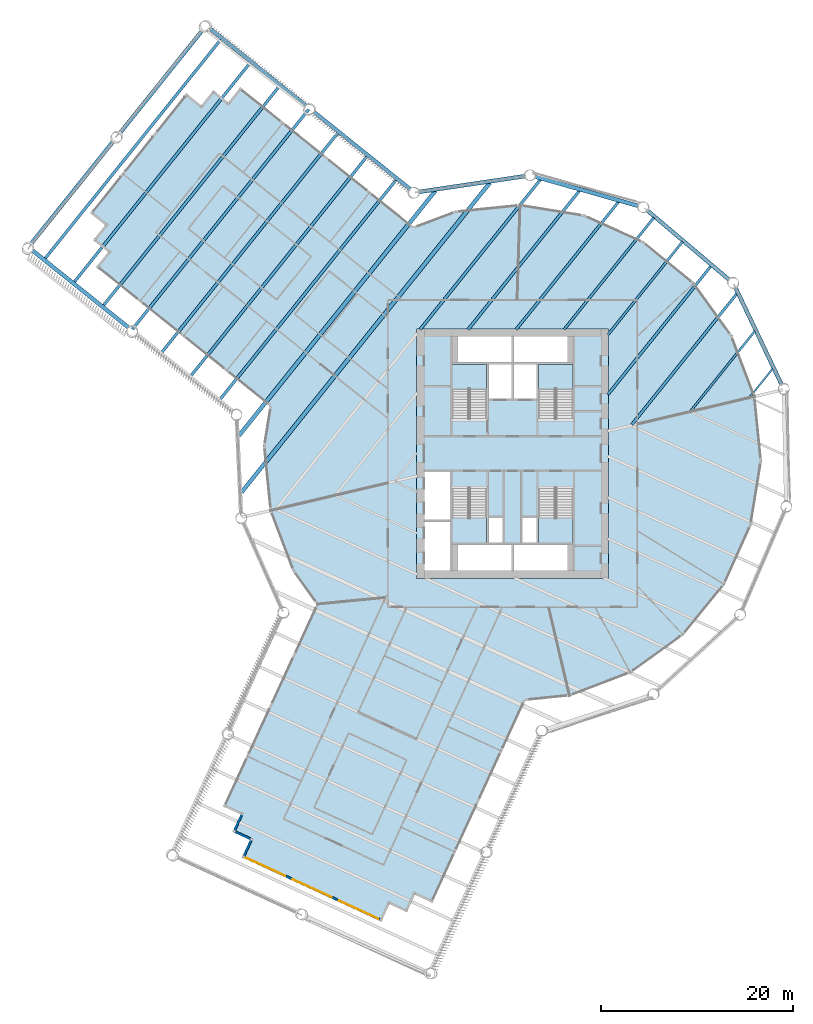
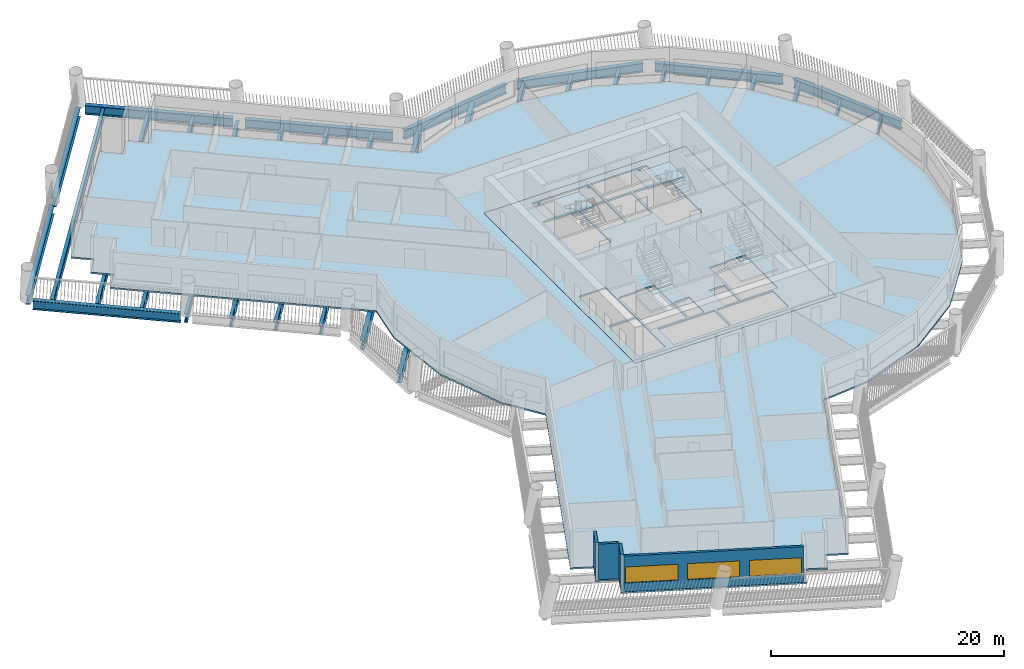
# One storey, part 2 of 16: 27 beams, 6 slabs, 4 walls, 3 windows, 3 openings, 4 elements without a shape of their own.
"""IFC4 building model written with IfcOpenShell, lengths in metres."""

from ifc_helpers import new_model, si_unit, direction, frame, frame_2d, origin, origin_2d, place, context, subcontext, project, spatial, polyline, rectangle, i_section, outline, extrude, material, layer, layer_set, material_profile, profile_set, type_object, element, fill, aggregate, save


model = new_model("IFC4")

# Units and contexts
model_context = context("Model", 3, precision=1e-05, world=origin(), true_north=direction((0.0, 1.0)))
body_context = subcontext(model_context, "Body", "Model", "MODEL_VIEW")
ifc_project = project(units=[si_unit("LENGTHUNIT", "METRE"), si_unit("AREAUNIT", "SQUARE_METRE"), si_unit("VOLUMEUNIT", "CUBIC_METRE"), si_unit("PLANEANGLEUNIT", "RADIAN"), si_unit("MASSUNIT", "GRAM", prefix="KILO")], contexts=[model_context])

# Site, building, storey
site_placement = place(None, origin())
site = spatial("IfcSite", under=ifc_project, at=site_placement, CompositionType="ELEMENT")
building_placement = place(site_placement, origin())
building = spatial("IfcBuilding", under=site, at=building_placement, Name="Tarsis Ring Headquarters", CompositionType="ELEMENT")
storey_placement = place(building_placement, frame((0.0, 0.0, 112.300048828125)))
storey = spatial("IfcBuildingStorey", under=building, at=storey_placement, Name="L25", CompositionType="ELEMENT", Elevation=112.300048828125)

# Beams
ifc_material_1 = material(Name="Structural steel S355", Category="steel")
ifc_material_profile_1 = material_profile(ifc_material_1, i_section(OverallWidth=0.177734375, OverallDepth=0.406494140625, WebThickness=0.0078125, FlangeThickness=0.0126953125, at=origin_2d()), Name="W16x40")
ifc_profile_set_1 = profile_set([ifc_material_profile_1], Name="Structural steel S355")
beam_type_1 = type_object("IfcBeamType", Name="FB Floor beam W16x40", PredefinedType="JOIST", material=ifc_profile_set_1)
beam_1_placement = place(storey_placement, frame((27.099365234375, 8.8486328125, -0.36328125), z_axis=(-0.625760768222, -0.780015038928, 0.0), x_axis=(0.780015038928, -0.625760768222, 0.0)))
element("IfcBeam", 1, at=beam_1_placement, inside=storey, type_object=beam_type_1, Name="Floor beam FB1", PredefinedType="JOIST", context=body_context, shape_type="SweptSolid", body=[
    extrude(i_section(OverallWidth=0.177734375, OverallDepth=0.406494140625, WebThickness=0.0078125, FlangeThickness=0.0126953125, at=origin_2d()), origin(), (0.0, 0.0, 1.0), 3.741455078125),
])
ifc_material_profile_2 = material_profile(ifc_material_1, i_section(OverallWidth=0.228271484375, OverallDepth=0.607177734375, WebThickness=0.01123046875, FlangeThickness=0.017333984375, at=origin_2d()), Name="W24x76")
ifc_profile_set_2 = profile_set([ifc_material_profile_2], Name="Structural steel S355")
beam_type_2 = type_object("IfcBeamType", Name="FB Floor beam W24x76", PredefinedType="JOIST", material=ifc_profile_set_2)
beam_2_placement = place(storey_placement, frame((25.23876953125, 12.76171875, -0.463623046875), z_axis=(-0.625782091329, -0.779997932158, 0.0), x_axis=(0.779997932158, -0.625782091329, 0.0)))
element("IfcBeam", 2, at=beam_2_placement, inside=storey, type_object=beam_type_2, Name="Floor beam FB4", PredefinedType="JOIST", context=body_context, shape_type="SweptSolid", body=[
    extrude(i_section(OverallWidth=0.228271484375, OverallDepth=0.607177734375, WebThickness=0.01123046875, FlangeThickness=0.017333984375, at=origin_2d()), origin(), (0.0, 0.0, 1.0), 10.62109375),
])
ifc_material_profile_3 = material_profile(ifc_material_1, i_section(OverallWidth=0.2529296875, OverallDepth=0.67822265625, WebThickness=0.01171875, FlangeThickness=0.016357421875, at=origin_2d()), Name="W27x84")
ifc_profile_set_3 = profile_set([ifc_material_profile_3], Name="Structural steel S355")
beam_type_3 = type_object("IfcBeamType", Name="FB Floor beam W27x84", PredefinedType="JOIST", material=ifc_profile_set_3)
beam_3_placement = place(storey_placement, frame((17.705322265625, 22.068359375, -0.499267578125), z_axis=(-0.625780987223, -0.779998817968, 0.0), x_axis=(0.779998817968, -0.625780987223, 0.0)))
element("IfcBeam", 3, at=beam_3_placement, inside=storey, type_object=beam_type_3, Name="Floor beam FB5", PredefinedType="JOIST", context=body_context, shape_type="SweptSolid", body=[
    extrude(i_section(OverallWidth=0.2529296875, OverallDepth=0.67822265625, WebThickness=0.01171875, FlangeThickness=0.016357421875, at=origin_2d()), origin(), (0.0, 0.0, 1.0), 12.4130859375),
])
ifc_material_profile_4 = material_profile(ifc_material_1, i_section(OverallWidth=0.2666015625, OverallDepth=0.7568359375, WebThickness=0.013916015625, FlangeThickness=0.019287109375, at=origin_2d()), Name="W30x108")
ifc_profile_set_4 = profile_set([ifc_material_profile_4], Name="Structural steel S355")
beam_type_4 = type_object("IfcBeamType", Name="FB Floor beam W30x108", PredefinedType="JOIST", material=ifc_profile_set_4)
beam_4_placement = place(storey_placement, frame((14.726806640625, 24.587890625, -0.53857421875), z_axis=(-0.625795269895, -0.779987358985, 0.0), x_axis=(0.779987358985, -0.625795269895, 0.0)))
element("IfcBeam", 4, at=beam_4_placement, inside=storey, type_object=beam_type_4, Name="Floor beam FB6", PredefinedType="JOIST", context=body_context, shape_type="SweptSolid", body=[
    extrude(i_section(OverallWidth=0.2666015625, OverallDepth=0.7568359375, WebThickness=0.013916015625, FlangeThickness=0.019287109375, at=origin_2d()), origin(), (0.0, 0.0, 1.0), 14.956298828125),
])
ifc_material_profile_5 = material_profile(ifc_material_1, i_section(OverallWidth=0.2919921875, OverallDepth=0.835693359375, WebThickness=0.013916015625, FlangeThickness=0.018798828125, at=origin_2d()), Name="W33x118")
ifc_profile_set_5 = profile_set([ifc_material_profile_5], Name="Structural steel S355")
beam_type_5 = type_object("IfcBeamType", Name="FB Floor beam W33x118", PredefinedType="JOIST", material=ifc_profile_set_5)
beam_5_placement = place(storey_placement, frame((23.378173828125, 16.6748046875, -0.577880859375), z_axis=(-0.625779840758, -0.779999737757, 0.0), x_axis=(0.779999737757, -0.625779840758, 0.0)))
element("IfcBeam", 5, at=beam_5_placement, inside=storey, type_object=beam_type_5, Name="Floor beam FB7", PredefinedType="JOIST", context=body_context, shape_type="SweptSolid", body=[
    extrude(i_section(OverallWidth=0.2919921875, OverallDepth=0.835693359375, WebThickness=0.013916015625, FlangeThickness=0.018798828125, at=origin_2d()), origin(), (0.0, 0.0, 1.0), 17.500732421875),
])
beam_6_placement = place(storey_placement, frame((20.68408203125, 19.548828125, -0.577880859375), z_axis=(-0.625786688088, -0.779994244217, 0.0), x_axis=(0.779994244217, -0.625786688088, 0.0)))
element("IfcBeam", 6, at=beam_6_placement, inside=storey, type_object=beam_type_5, Name="Floor beam FB7", PredefinedType="JOIST", context=body_context, shape_type="SweptSolid", body=[
    extrude(i_section(OverallWidth=0.2919921875, OverallDepth=0.835693359375, WebThickness=0.013916015625, FlangeThickness=0.018798828125, at=origin_2d()), origin(), (0.0, 0.0, 1.0), 17.1728515625),
])
beam_7_placement = place(storey_placement, frame((11.060791015625, 26.250732421875, -0.577880859375), z_axis=(-0.625790359336, -0.779991298774, 0.0), x_axis=(0.779991298774, -0.625790359336, 0.0)))
element("IfcBeam", 7, at=beam_7_placement, inside=storey, type_object=beam_type_5, Name="Floor beam FB7", PredefinedType="JOIST", context=body_context, shape_type="SweptSolid", body=[
    extrude(i_section(OverallWidth=0.2919921875, OverallDepth=0.835693359375, WebThickness=0.013916015625, FlangeThickness=0.018798828125, at=origin_2d()), origin(), (0.0, 0.0, 1.0), 17.088134765625),
])
ifc_material_profile_6 = material_profile(ifc_material_1, i_section(OverallWidth=0.3046875, OverallDepth=0.904296875, WebThickness=0.01513671875, FlangeThickness=0.02001953125, at=origin_2d()), Name="W36x135")
ifc_profile_set_6 = profile_set([ifc_material_profile_6], Name="Structural steel S355")
beam_type_6 = type_object("IfcBeamType", Name="FB Floor beam W36x135", PredefinedType="JOIST", material=ifc_profile_set_6)
beam_8_placement = place(storey_placement, frame((6.989990234375, 27.408935546875, -0.612060546875), z_axis=(-0.625789307576, -0.779992142604, 0.0), x_axis=(0.779992142604, -0.625789307576, 0.0)))
element("IfcBeam", 8, at=beam_8_placement, inside=storey, type_object=beam_type_6, Name="Floor beam FB8", PredefinedType="JOIST", context=body_context, shape_type="SweptSolid", body=[
    extrude(i_section(OverallWidth=0.3046875, OverallDepth=0.904296875, WebThickness=0.01513671875, FlangeThickness=0.02001953125, at=origin_2d()), origin(), (0.0, 0.0, 1.0), 18.572998046875),
])
beam_9_placement = place(storey_placement, frame((2.91943359375, 28.5673828125, -0.612060546875), z_axis=(-0.625789875515, -0.779991686945, 0.0), x_axis=(0.779991686945, -0.625789875515, 0.0)))
element("IfcBeam", 9, at=beam_9_placement, inside=storey, type_object=beam_type_6, Name="Floor beam FB8", PredefinedType="JOIST", context=body_context, shape_type="SweptSolid", body=[
    extrude(i_section(OverallWidth=0.3046875, OverallDepth=0.904296875, WebThickness=0.01513671875, FlangeThickness=0.02001953125, at=origin_2d()), origin(), (0.0, 0.0, 1.0), 20.058349609375),
])
ifc_material_profile_7 = material_profile(ifc_material_1, i_section(OverallWidth=0.309814453125, OverallDepth=0.949951171875, WebThickness=0.0244140625, FlangeThickness=0.0439453125, at=origin_2d()), Name="W36x256")
ifc_profile_set_7 = profile_set([ifc_material_profile_7], Name="Structural steel S355")
beam_type_7 = type_object("IfcBeamType", Name="FB Floor beam W36x256", PredefinedType="JOIST", material=ifc_profile_set_7)
beam_10_placement = place(storey_placement, frame((-12.102294921875, 28.54052734375, -0.635009765625), z_axis=(-0.625786003258, -0.779994793654, 0.0), x_axis=(0.779994793654, -0.625786003258, 0.0)))
element("IfcBeam", 10, at=beam_10_placement, inside=storey, type_object=beam_type_7, Name="Floor beam FB11", PredefinedType="JOIST", context=body_context, shape_type="SweptSolid", body=[
    extrude(i_section(OverallWidth=0.309814453125, OverallDepth=0.949951171875, WebThickness=0.0244140625, FlangeThickness=0.0439453125, at=origin_2d()), origin(), (0.0, 0.0, 1.0), 29.3759765625),
])
beam_11_placement = place(storey_placement, frame((-15.144287109375, 30.98095703125, -0.635009765625), z_axis=(-0.625790059909, -0.779991539005, 0.0), x_axis=(0.779991539005, -0.625790059909, 0.0)))
element("IfcBeam", 11, at=beam_11_placement, inside=storey, type_object=beam_type_7, Name="Floor beam FB11", PredefinedType="JOIST", context=body_context, shape_type="SweptSolid", body=[
    extrude(i_section(OverallWidth=0.309814453125, OverallDepth=0.949951171875, WebThickness=0.0244140625, FlangeThickness=0.0439453125, at=origin_2d()), origin(), (0.0, 0.0, 1.0), 29.375732421875),
])
beam_12_placement = place(storey_placement, frame((-18.186279296875, 33.421630859375, -0.635009765625), z_axis=(-0.625786003258, -0.779994793654, 0.0), x_axis=(0.779994793654, -0.625786003258, 0.0)))
element("IfcBeam", 12, at=beam_12_placement, inside=storey, type_object=beam_type_7, Name="Floor beam FB11", PredefinedType="JOIST", context=body_context, shape_type="SweptSolid", body=[
    extrude(i_section(OverallWidth=0.309814453125, OverallDepth=0.949951171875, WebThickness=0.0244140625, FlangeThickness=0.0439453125, at=origin_2d()), origin(), (0.0, 0.0, 1.0), 29.3759765625),
])
for number, where, z_axis, x_axis, name in (
    (13, (-21.228271484375, 35.862060546875, -0.635009765625), (-0.625790059909, -0.779991539005, 0.0), (0.779991539005, -0.625790059909, 0.0), "Floor beam FB11"),
    (14, (-24.270263671875, 38.302734375, -0.635009765625), (-0.625790059909, -0.779991539005, 0.0), (0.779991539005, -0.625790059909, 0.0), "Floor beam FB11"),
):
    element("IfcBeam", number, at=place(storey_placement, frame(where, z_axis=z_axis, x_axis=x_axis)), inside=storey, type_object=beam_type_7, Name=name, PredefinedType="JOIST", context=body_context, shape_type="SweptSolid", body=[
        extrude(i_section(OverallWidth=0.309814453125, OverallDepth=0.949951171875, WebThickness=0.0244140625, FlangeThickness=0.0439453125, at=origin_2d()), origin(), (0.0, 0.0, 1.0), 29.375732421875),
    ])
beam_13_placement = place(storey_placement, frame((-27.312255859375, 40.743408203125, -0.635009765625), z_axis=(-0.625786003258, -0.779994793654, 0.0), x_axis=(0.779994793654, -0.625786003258, 0.0)))
element("IfcBeam", 15, at=beam_13_placement, inside=storey, type_object=beam_type_7, Name="Floor beam FB11", PredefinedType="JOIST", context=body_context, shape_type="SweptSolid", body=[
    extrude(i_section(OverallWidth=0.309814453125, OverallDepth=0.949951171875, WebThickness=0.0244140625, FlangeThickness=0.0439453125, at=origin_2d()), origin(), (0.0, 0.0, 1.0), 29.3759765625),
])
beam_14_placement = place(storey_placement, frame((-30.354248046875, 43.183837890625, -0.635009765625), z_axis=(-0.625790059909, -0.779991539005, 0.0), x_axis=(0.779991539005, -0.625790059909, 0.0)))
element("IfcBeam", 16, at=beam_14_placement, inside=storey, type_object=beam_type_7, Name="Floor beam FB11", PredefinedType="JOIST", context=body_context, shape_type="SweptSolid", body=[
    extrude(i_section(OverallWidth=0.309814453125, OverallDepth=0.949951171875, WebThickness=0.0244140625, FlangeThickness=0.0439453125, at=origin_2d()), origin(), (0.0, 0.0, 1.0), 29.375732421875),
])
ifc_material_profile_8 = material_profile(ifc_material_1, i_section(OverallWidth=0.42431640625, OverallDepth=0.947509765625, WebThickness=0.02392578125, FlangeThickness=0.042724609375, at=origin_2d()), Name="W36x302")
ifc_profile_set_8 = profile_set([ifc_material_profile_8], Name="Structural steel S355")
beam_type_8 = type_object("IfcBeamType", Name="FB Floor beam W36x302", PredefinedType="JOIST", material=ifc_profile_set_8)
beam_15_placement = place(storey_placement, frame((-2.367431640625, 28.2099609375, -0.6337890625), z_axis=(-0.625786642196, -0.779994281036, 0.0), x_axis=(0.779994281036, -0.625786642196, 0.0)))
element("IfcBeam", 17, at=beam_15_placement, inside=storey, type_object=beam_type_8, Name="Floor beam FB12", PredefinedType="JOIST", context=body_context, shape_type="SweptSolid", body=[
    extrude(i_section(OverallWidth=0.42431640625, OverallDepth=0.947509765625, WebThickness=0.02392578125, FlangeThickness=0.042724609375, at=origin_2d()), origin(), (0.0, 0.0, 1.0), 41.35302734375),
])
beam_16_placement = place(storey_placement, frame((-8.044677734375, 27.36572265625, -0.6337890625), z_axis=(-0.625788689992, -0.779992638092, 0.0), x_axis=(0.779992638092, -0.625788689992, 0.0)))
element("IfcBeam", 18, at=beam_16_placement, inside=storey, type_object=beam_type_8, Name="Floor beam FB12", PredefinedType="JOIST", context=body_context, shape_type="SweptSolid", body=[
    extrude(i_section(OverallWidth=0.42431640625, OverallDepth=0.947509765625, WebThickness=0.02392578125, FlangeThickness=0.042724609375, at=origin_2d()), origin(), (0.0, 0.0, 1.0), 32.704833984375),
])
beam_type_9 = type_object("IfcBeamType", Name="XG Ring girder W36x302", PredefinedType="BEAM", material=ifc_profile_set_8)
for number, where, z_axis, x_axis, name in (
    (19, (28.04833984375, 7.1376953125, -0.4736328125), (-0.429439252424, 0.903095747126, 0.0), (-0.903095747126, -0.429439252424, 0.0), "Ring girder XG1"),
    (20, (22.612548828125, 18.064453125, -0.4736328125), (-0.763502058558, 0.645805393735, 0.0), (-0.645805393735, -0.763502058558, 0.0), "Ring girder XG1"),
):
    element("IfcBeam", number, at=place(storey_placement, frame(where, z_axis=z_axis, x_axis=x_axis)), inside=storey, type_object=beam_type_9, Name=name, PredefinedType="BEAM", context=body_context, shape_type="SweptSolid", body=[
        extrude(i_section(OverallWidth=0.42431640625, OverallDepth=0.947509765625, WebThickness=0.02392578125, FlangeThickness=0.042724609375, at=origin_2d()), origin(), (0.0, 0.0, 1.0), 11.197265625),
    ])
beam_17_placement = place(storey_placement, frame((13.15625, 25.779052734375, -0.4736328125), z_axis=(-0.961813854742, 0.27370441872, 0.0), x_axis=(-0.27370441872, -0.961813854742, 0.0)))
element("IfcBeam", 21, at=beam_17_placement, inside=storey, type_object=beam_type_9, Name="Ring girder XG1", PredefinedType="BEAM", context=body_context, shape_type="SweptSolid", body=[
    extrude(i_section(OverallWidth=0.42431640625, OverallDepth=0.947509765625, WebThickness=0.02392578125, FlangeThickness=0.042724609375, at=origin_2d()), origin(), (0.0, 0.0, 1.0), 11.197021484375),
])
beam_18_placement = place(storey_placement, frame((1.36083984375, 28.91015625, -0.4736328125), z_axis=(-0.989123476076, -0.147087555816, 0.0), x_axis=(0.147087555816, -0.989123476076, 0.0)))
element("IfcBeam", 22, at=beam_18_placement, inside=storey, type_object=beam_type_9, Name="Ring girder XG1", PredefinedType="BEAM", context=body_context, shape_type="SweptSolid", body=[
    extrude(i_section(OverallWidth=0.42431640625, OverallDepth=0.947509765625, WebThickness=0.02392578125, FlangeThickness=0.042724609375, at=origin_2d()), origin(), (0.0, 0.0, 1.0), 11.197265625),
])
for number, where, z_axis, x_axis, name in (
    (23, (-10.644775390625, 27.514892578125, -0.4736328125), (-0.779995050948, 0.62578568256, 0.0), (-0.62578568256, -0.779995050948, 0.0), "Ring girder XG1"),
    (24, (-21.488525390625, 36.214599609375, -0.4736328125), (-0.779995050948, 0.62578568256, 0.0), (-0.62578568256, -0.779995050948, 0.0), "Ring girder XG1"),
):
    element("IfcBeam", number, at=place(storey_placement, frame(where, z_axis=z_axis, x_axis=x_axis)), inside=storey, type_object=beam_type_9, Name=name, PredefinedType="BEAM", context=body_context, shape_type="SweptSolid", body=[
        extrude(i_section(OverallWidth=0.42431640625, OverallDepth=0.947509765625, WebThickness=0.02392578125, FlangeThickness=0.042724609375, at=origin_2d()), origin(), (0.0, 0.0, 1.0), 12.8505859375),
    ])
beam_19_placement = place(storey_placement, frame((-32.2509765625, 44.17529296875, -0.4736328125), z_axis=(-0.62579669767, -0.779986213458, 0.0), x_axis=(0.779986213458, -0.62579669767, 0.0)))
element("IfcBeam", 25, at=beam_19_placement, inside=storey, type_object=beam_type_9, Name="Ring girder XG1", PredefinedType="BEAM", context=body_context, shape_type="SweptSolid", body=[
    extrude(i_section(OverallWidth=0.42431640625, OverallDepth=0.947509765625, WebThickness=0.02392578125, FlangeThickness=0.042724609375, at=origin_2d()), origin(), (0.0, 0.0, 1.0), 13.74853515625),
])
beam_20_placement = place(storey_placement, frame((-41.5126953125, 32.63134765625, -0.4736328125), z_axis=(-0.625785894129, -0.779994881207, 0.0), x_axis=(0.779994881207, -0.625785894129, 0.0)))
element("IfcBeam", 26, at=beam_20_placement, inside=storey, type_object=beam_type_9, Name="Ring girder XG1", PredefinedType="BEAM", context=body_context, shape_type="SweptSolid", body=[
    extrude(i_section(OverallWidth=0.42431640625, OverallDepth=0.947509765625, WebThickness=0.02392578125, FlangeThickness=0.042724609375, at=origin_2d()), origin(), (0.0, 0.0, 1.0), 13.748291015625),
])
beam_21_placement = place(storey_placement, frame((-50.03515625, 21.168701171875, -0.4736328125), z_axis=(0.779995050948, -0.62578568256, 0.0), x_axis=(0.62578568256, 0.779995050948, 0.0)))
element("IfcBeam", 27, at=beam_21_placement, inside=storey, type_object=beam_type_9, Name="Ring girder XG1", PredefinedType="BEAM", context=body_context, shape_type="SweptSolid", body=[
    extrude(i_section(OverallWidth=0.42431640625, OverallDepth=0.947509765625, WebThickness=0.02392578125, FlangeThickness=0.042724609375, at=origin_2d()), origin(), (0.0, 0.0, 1.0), 12.8505859375),
])

# Slab
ifc_material_2 = material(Name="Concrete C40/50", Category="concrete")
ifc_layer_1 = layer(ifc_material_2, 0.159912109375)
ifc_layer_set_1 = layer_set([ifc_layer_1], Name="Core floor slab 160 C40/50")
slab_type_1 = type_object("IfcSlabType", Name="Core floor slab 160 C40/50", PredefinedType="FLOOR", material=ifc_layer_set_1)
slab_1_placement = place(storey_placement, frame((0.0, 0.0, -0.16015625)))
element("IfcSlab", 28, at=slab_1_placement, inside=storey, type_object=slab_type_1, Name="L25 core floor slab", PredefinedType="FLOOR", context=body_context, shape_type="SweptSolid", body=[
    extrude(outline(polyline([(-10.0, -13.0), (10.0, -13.0), (10.0, 13.0), (-10.0, 13.0), (-10.0, -13.0)]), holes=[polyline([(-2.5, 5.699951171875), (-0.10009765625, 5.699951171875), (-0.10009765625, 9.300048828125), (-2.5, 9.300048828125), (-2.5, 5.699951171875)]), polyline([(0.10009765625, 5.699951171875), (2.5, 5.699951171875), (2.5, 9.300048828125), (0.10009765625, 9.300048828125), (0.10009765625, 5.699951171875)]), polyline([(-9.199951171875, -12.199951171875), (-6.5, -12.199951171875), (-6.5, -7.10009765625), (-9.199951171875, -7.10009765625), (-9.199951171875, -12.199951171875)]), polyline([(-9.199951171875, -6.89990234375), (-6.5, -6.89990234375), (-6.5, -1.89990234375), (-9.199951171875, -1.89990234375), (-9.199951171875, -6.89990234375)]), polyline([(-5.699951171875, 9.5), (-0.10009765625, 9.5), (-0.10009765625, 12.199951171875), (-5.699951171875, 12.199951171875), (-5.699951171875, 9.5)]), polyline([(0.10009765625, 9.5), (5.699951171875, 9.5), (5.699951171875, 12.199951171875), (0.10009765625, 12.199951171875), (0.10009765625, 9.5)]), polyline([(-5.699951171875, -12.199951171875), (-0.10009765625, -12.199951171875), (-0.10009765625, -9.5), (-5.699951171875, -9.5), (-5.699951171875, -12.199951171875)]), polyline([(0.10009765625, -12.199951171875), (5.699951171875, -12.199951171875), (5.699951171875, -9.5), (0.10009765625, -9.5), (0.10009765625, -12.199951171875)]), polyline([(-2.5, -9.300048828125), (-1.0, -9.300048828125), (-1.0, -6.699951171875), (-2.5, -6.699951171875), (-2.5, -9.300048828125)]), polyline([(1.0, -9.300048828125), (2.5, -9.300048828125), (2.5, -6.699951171875), (1.0, -6.699951171875), (1.0, -9.300048828125)]), polyline([(-2.699951171875, 3.760009765625), (-2.699951171875, 9.300048828125), (-6.300048828125, 9.300048828125), (-6.300048828125, 3.659912109375), (-4.4599609375, 3.659912109375), (-4.4599609375, 3.760009765625), (-2.699951171875, 3.760009765625)]), polyline([(6.300048828125, 3.760009765625), (6.300048828125, 9.300048828125), (2.699951171875, 9.300048828125), (2.699951171875, 3.659912109375), (4.5400390625, 3.659912109375), (4.5400390625, 3.760009765625), (6.300048828125, 3.760009765625)]), polyline([(-6.300048828125, -3.760009765625), (-6.300048828125, -9.300048828125), (-2.699951171875, -9.300048828125), (-2.699951171875, -3.659912109375), (-4.5400390625, -3.659912109375), (-4.5400390625, -3.760009765625), (-6.300048828125, -3.760009765625)]), polyline([(2.699951171875, -3.760009765625), (2.699951171875, -9.300048828125), (6.300048828125, -9.300048828125), (6.300048828125, -3.659912109375), (4.4599609375, -3.659912109375), (4.4599609375, -3.760009765625), (2.699951171875, -3.760009765625)])]), origin(), (0.0, 0.0, 1.0), 0.16015625),
])

# Stair, slab
ifc_material_3 = material(Name="Core stair 1760")
stair_type = type_object("IfcStairType", Name="Core stair 1760", PredefinedType="HALF_TURN_STAIR", material=ifc_material_3)
stair_1_placement = place(storey_placement, origin())
stair_1 = element("IfcStair", 29, at=stair_1_placement, inside=storey, type_object=stair_type, Name="L25 Firefighting stair", PredefinedType="HALF_TURN_STAIR")
ifc_layer_2 = layer(ifc_material_2, 0.199951171875)
ifc_layer_set_2 = layer_set([ifc_layer_2], Name="Core stair landing 200")
slab_type_2 = type_object("IfcSlabType", Name="Core stair landing 200", PredefinedType="LANDING", material=ifc_layer_set_2)
slab_2_placement = place(storey_placement, frame((0.0, 0.0, 1.75)))
slab_2 = element("IfcSlab", 30, at=slab_2_placement, type_object=slab_type_2, Name="Stair ST1 landing 1", PredefinedType="LANDING", context=body_context, shape_type="SweptSolid", body=[
    extrude(outline(polyline([(-2.699951171875, 6.739990234375), (-2.699951171875, 9.300048828125), (-6.300048828125, 9.300048828125), (-6.300048828125, 6.739990234375), (-2.699951171875, 6.739990234375)])), origin(), (0.0, 0.0, 1.0), 0.199951171875),
])
aggregate(stair_1, [slab_2])

stair_2_placement = place(storey_placement, origin())
stair_2 = element("IfcStair", 31, at=stair_2_placement, inside=storey, type_object=stair_type, Name="L25 Exit stair B", PredefinedType="HALF_TURN_STAIR")
slab_3_placement = place(storey_placement, frame((0.0, 0.0, 1.75)))
slab_3 = element("IfcSlab", 32, at=slab_3_placement, type_object=slab_type_2, Name="Stair ST2 landing 1", PredefinedType="LANDING", context=body_context, shape_type="SweptSolid", body=[
    extrude(outline(polyline([(6.300048828125, 6.739990234375), (6.300048828125, 9.300048828125), (2.699951171875, 9.300048828125), (2.699951171875, 6.739990234375), (6.300048828125, 6.739990234375)])), origin(), (0.0, 0.0, 1.0), 0.199951171875),
])
aggregate(stair_2, [slab_3])

stair_3_placement = place(storey_placement, origin())
stair_3 = element("IfcStair", 33, at=stair_3_placement, inside=storey, type_object=stair_type, Name="L25 Exit stair C", PredefinedType="HALF_TURN_STAIR")
slab_4_placement = place(storey_placement, frame((0.0, 0.0, 1.75)))
slab_4 = element("IfcSlab", 34, at=slab_4_placement, type_object=slab_type_2, Name="Stair ST3 landing 1", PredefinedType="LANDING", context=body_context, shape_type="SweptSolid", body=[
    extrude(outline(polyline([(-6.300048828125, -6.739990234375), (-6.300048828125, -9.300048828125), (-2.699951171875, -9.300048828125), (-2.699951171875, -6.739990234375), (-6.300048828125, -6.739990234375)])), origin(), (0.0, 0.0, 1.0), 0.199951171875),
])
aggregate(stair_3, [slab_4])

stair_4_placement = place(storey_placement, origin())
stair_4 = element("IfcStair", 35, at=stair_4_placement, inside=storey, type_object=stair_type, Name="L25 Exit stair D", PredefinedType="HALF_TURN_STAIR")
slab_5_placement = place(storey_placement, frame((0.0, 0.0, 1.75)))
slab_5 = element("IfcSlab", 36, at=slab_5_placement, type_object=slab_type_2, Name="Stair ST4 landing 1", PredefinedType="LANDING", context=body_context, shape_type="SweptSolid", body=[
    extrude(outline(polyline([(2.699951171875, -6.739990234375), (2.699951171875, -9.300048828125), (6.300048828125, -9.300048828125), (6.300048828125, -6.739990234375), (2.699951171875, -6.739990234375)])), origin(), (0.0, 0.0, 1.0), 0.199951171875),
])
aggregate(stair_4, [slab_5])

# Slab
ifc_material_4 = material(Name="Concrete C35/45", Category="concrete")
ifc_layer_3 = layer(ifc_material_4, 0.159912109375)
ifc_layer_set_3 = layer_set([ifc_layer_3], Name="FS Composite floor slab 160")
slab_type_3 = type_object("IfcSlabType", Name="FS Composite floor slab 160", PredefinedType="FLOOR", material=ifc_layer_set_3)
slab_6_placement = place(storey_placement, frame((0.0, 0.0, -0.16015625)))
element("IfcSlab", 37, at=slab_6_placement, inside=storey, type_object=slab_type_3, Name="Floor slab L25", PredefinedType="FLOOR", context=body_context, shape_type="SweptSolid", body=[
    extrude(outline(polyline([(-25.315185546875, 4.925537109375), (-25.988037109375, 0.78955078125), (-25.306884765625, -5.963623046875), (-22.901123046875, -12.310302734375), (-20.4521484375, -15.710693359375), (-30.149658203125, -36.755859375), (-28.333251953125, -37.593017578125), (-29.170166015625, -39.409423828125), (-27.353759765625, -40.246337890625), (-28.190673828125, -42.062744140625), (-13.659423828125, -48.7587890625), (-12.822265625, -46.9423828125), (-11.005859375, -47.779296875), (-10.1689453125, -45.962890625), (-8.3525390625, -46.800048828125), (1.33642578125, -25.773681640625), (5.963623046875, -25.306884765625), (12.310302734375, -22.901123046875), (17.818115234375, -18.9345703125), (22.111572265625, -13.677734375), (24.898193359375, -7.48876953125), (25.988037109375, -0.78955078125), (25.306884765625, 5.963623046875), (22.901123046875, 12.310302734375), (18.9345703125, 17.818115234375), (13.677734375, 22.111572265625), (7.48876953125, 24.898193359375), (0.78955078125, 25.988037109375), (-5.963623046875, 25.306884765625), (-10.3125, 23.658447265625), (-28.370361328125, 38.146240234375), (-29.621826171875, 36.586181640625), (-31.181884765625, 37.837646484375), (-32.433349609375, 36.27783203125), (-33.993408203125, 37.529296875), (-44.006103515625, 25.04931640625), (-42.446044921875, 23.7978515625), (-43.697509765625, 22.23779296875), (-42.1376953125, 20.986328125), (-43.38916015625, 19.42626953125), (-25.315185546875, 4.925537109375)]), holes=[polyline([(-10.0, -13.0), (-10.0, 13.0), (10.0, 13.0), (10.0, -13.0), (-10.0, -13.0)])]), origin(), (0.0, 0.0, 1.0), 0.16015625),
])

# Walls
ifc_material_5 = material(Name="Terracotta clad insulated panel wall", Category="masonry")
ifc_layer_4 = layer(ifc_material_5, 0.25)
ifc_layer_set_4 = layer_set([ifc_layer_4], Name="Facade wall terracotta panel 250")
wall_type = type_object("IfcWallType", Name="Facade wall terracotta panel 250", PredefinedType="STANDARD", material=ifc_layer_set_4)
for number, where, z_axis, x_axis, name in (
    (38, (-28.2197265625, -37.645263671875, 0.0), (0.0, 0.0, 1.0), (-0.418527290747, -0.908204220922, 0.0), "External wall L25-08"),
    (39, (-28.890869140625, -39.400390625, 0.0), (0.0, 0.0, 1.0), (0.908204220922, -0.418527290747, 0.0), "External wall L25-09"),
    (40, (-27.240234375, -40.298583984375, 0.0), (0.0, 0.0, 1.0), (-0.418527290747, -0.908204220922, 0.0), "External wall L25-10"),
):
    element("IfcWall", number, at=place(storey_placement, frame(where, z_axis=z_axis, x_axis=x_axis)), inside=storey, type_object=wall_type, Name=name, PredefinedType="STANDARD", context=body_context, shape_type="SweptSolid", body=[
        extrude(rectangle(XDim=1.75, YDim=0.25, at=frame_2d((0.875, 0.0))), origin(), (0.0, 0.0, 1.0), 3.739990234375),
    ])

# Wall, openings, windows
wall_placement = place(storey_placement, frame((-27.911376953125, -42.053955078125, 0.0), z_axis=(0.0, 0.0, 1.0), x_axis=(0.908215532558, -0.418502743623, 0.0)))
wall = element("IfcWall", 41, at=wall_placement, inside=storey, type_object=wall_type, Name="External wall L25-11", PredefinedType="STANDARD", context=body_context, shape_type="SweptSolid", body=[
    extrude(rectangle(XDim=15.5, YDim=0.25, at=frame_2d((7.75, 0.0))), origin(), (0.0, 0.0, 1.0), 3.739990234375),
])
opening_1_placement = place(wall_placement, frame((0.166748046875, 0.0, 0.89990234375)))
opening_1 = element("IfcOpeningElement", 42, at=opening_1_placement, cuts=wall, Name="Opening WN04", PredefinedType="OPENING", context=body_context, shape_type="SweptSolid", body=[
    extrude(rectangle(XDim=4.5, YDim=1.699951171875, at=frame_2d((2.25, 0.85009765625))), frame((0.0, 0.135009765625, 0.0), z_axis=(0.0, -1.0, 0.0), x_axis=(1.0, 0.0, 0.0)), (0.0, 0.0, 1.0), 0.27001953125),
])
opening_2_placement = place(wall_placement, frame((5.5, 0.0, 0.89990234375)))
opening_2 = element("IfcOpeningElement", 43, at=opening_2_placement, cuts=wall, Name="Opening WN04", PredefinedType="OPENING", context=body_context, shape_type="SweptSolid", body=[
    extrude(rectangle(XDim=4.5, YDim=1.699951171875, at=frame_2d((2.25, 0.85009765625))), frame((0.0, 0.135009765625, 0.0), z_axis=(0.0, -1.0, 0.0), x_axis=(1.0, 0.0, 0.0)), (0.0, 0.0, 1.0), 0.27001953125),
])
opening_3_placement = place(wall_placement, frame((10.833251953125, 0.0, 0.89990234375)))
opening_3 = element("IfcOpeningElement", 44, at=opening_3_placement, cuts=wall, Name="Opening WN04", PredefinedType="OPENING", context=body_context, shape_type="SweptSolid", body=[
    extrude(rectangle(XDim=4.5, YDim=1.699951171875, at=frame_2d((2.25, 0.85009765625))), frame((0.0, 0.135009765625, 0.0), z_axis=(0.0, -1.0, 0.0), x_axis=(1.0, 0.0, 0.0)), (0.0, 0.0, 1.0), 0.27001953125),
])
ifc_material_6 = material(Name="Aluminium framed double glazing", Category="aluminium")
window_type = type_object("IfcWindowType", Name="Facade window 4500 x 1700", PartitioningType="SINGLE_PANEL", PredefinedType="WINDOW", material=ifc_material_6)
window_1_placement = place(opening_1_placement, origin())
window_1 = element("IfcWindow", 45, at=window_1_placement, inside=storey, type_object=window_type, Name="Window L25-11.1", OverallHeight=1.699951171875, OverallWidth=4.5, PartitioningType="SINGLE_PANEL", PredefinedType="WINDOW", context=body_context, shape_type="SweptSolid", body=[
    extrude(rectangle(XDim=4.5, YDim=1.699951171875, at=frame_2d((2.25, 0.85009765625))), frame((0.0, 0.030029296875, 0.0), z_axis=(0.0, -1.0, 0.0), x_axis=(1.0, 0.0, 0.0)), (0.0, 0.0, 1.0), 0.06005859375),
])
fill(opening_1, window_1)
window_2_placement = place(opening_2_placement, origin())
window_2 = element("IfcWindow", 46, at=window_2_placement, inside=storey, type_object=window_type, Name="Window L25-11.2", OverallHeight=1.699951171875, OverallWidth=4.5, PartitioningType="SINGLE_PANEL", PredefinedType="WINDOW", context=body_context, shape_type="SweptSolid", body=[
    extrude(rectangle(XDim=4.5, YDim=1.699951171875, at=frame_2d((2.25, 0.85009765625))), frame((0.0, 0.030029296875, 0.0), z_axis=(0.0, -1.0, 0.0), x_axis=(1.0, 0.0, 0.0)), (0.0, 0.0, 1.0), 0.06005859375),
])
fill(opening_2, window_2)
window_3_placement = place(opening_3_placement, origin())
window_3 = element("IfcWindow", 47, at=window_3_placement, inside=storey, type_object=window_type, Name="Window L25-11.3", OverallHeight=1.699951171875, OverallWidth=4.5, PartitioningType="SINGLE_PANEL", PredefinedType="WINDOW", context=body_context, shape_type="SweptSolid", body=[
    extrude(rectangle(XDim=4.5, YDim=1.699951171875, at=frame_2d((2.25, 0.85009765625))), frame((0.0, 0.030029296875, 0.0), z_axis=(0.0, -1.0, 0.0), x_axis=(1.0, 0.0, 0.0)), (0.0, 0.0, 1.0), 0.06005859375),
])
fill(opening_3, window_3)

save(model, "model.ifc")
